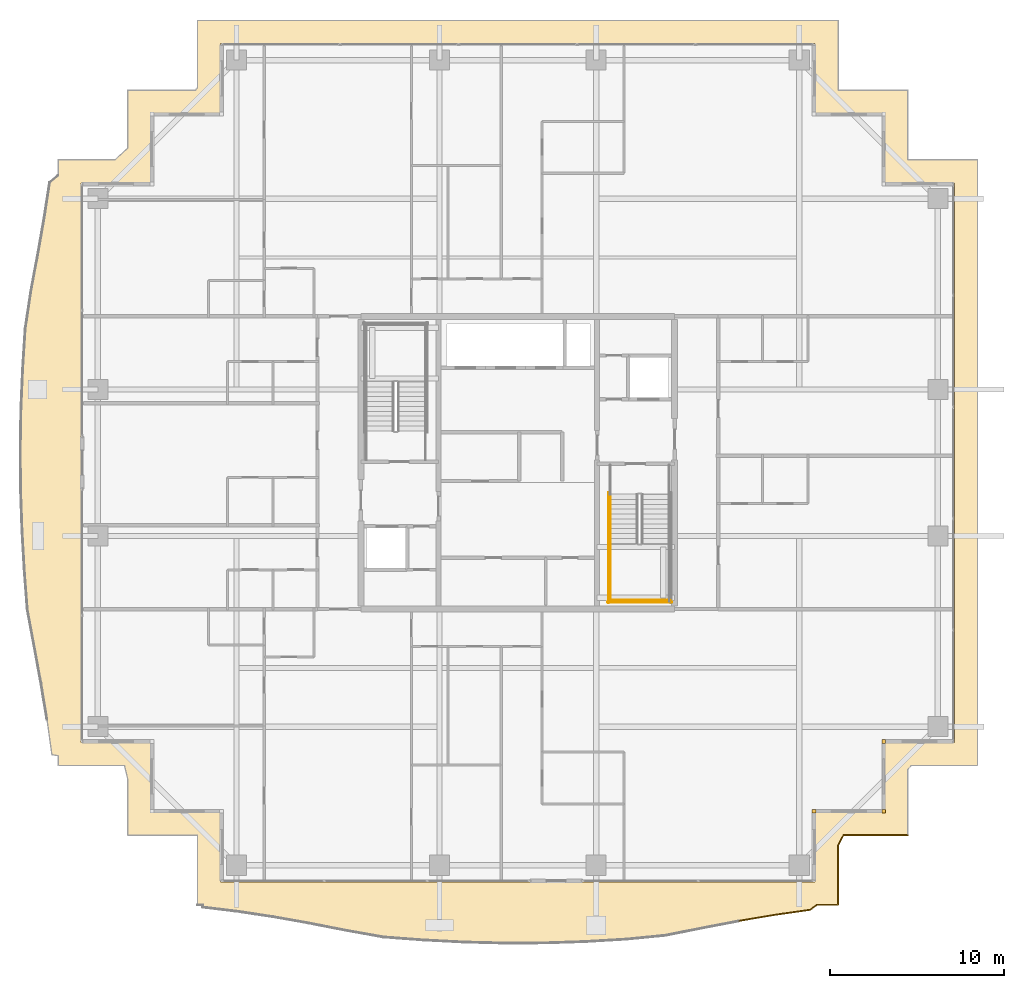
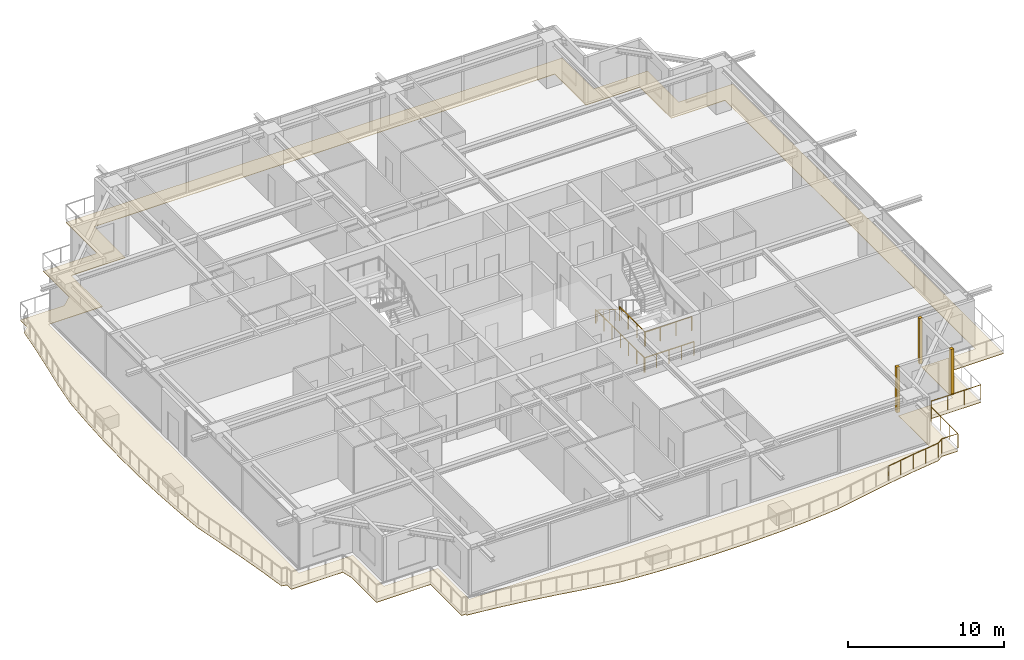
# One storey, part 34 of 36: 6 railings, 4 coverings.
"""IFC4 building model written with IfcOpenShell, lengths in metres."""

from ifc_helpers import new_model, si_unit, direction, frame, origin, origin_2d, place, context, subcontext, project, spatial, polyline, rectangle, circle, outline, extrude, source, transform, mapped, material, layer, layer_set, type_object, element, save


model = new_model("IFC4")

# Units and contexts
model_context = context("Model", 3, precision=1e-05, world=origin(), true_north=direction((0.0, 1.0)))
body_context = subcontext(model_context, "Body", "Model", "MODEL_VIEW")
ifc_project = project(units=[si_unit("LENGTHUNIT", "METRE"), si_unit("AREAUNIT", "SQUARE_METRE"), si_unit("VOLUMEUNIT", "CUBIC_METRE"), si_unit("PLANEANGLEUNIT", "RADIAN"), si_unit("MASSUNIT", "GRAM", prefix="KILO")], contexts=[model_context])

# Site, building, storey
site_placement = place(None, origin())
site = spatial("IfcSite", under=ifc_project, at=site_placement, CompositionType="ELEMENT")
building_placement = place(site_placement, origin())
building = spatial("IfcBuilding", under=site, at=building_placement, Name="Serunith Strait Residences", CompositionType="ELEMENT")
storey_placement = place(building_placement, frame((0.0, 0.0, 272.050048828125)))
storey = spatial("IfcBuildingStorey", under=building, at=storey_placement, Name="L68", CompositionType="ELEMENT", Elevation=272.050048828125)

# Covering
ifc_material_1 = material(Name="Golden Teak Exterior Timber Boarding", Category="wood")
ifc_layer_1 = layer(ifc_material_1, 0.034912109375, Name="Golden Teak Exterior Timber Boarding")
ifc_layer_set_1 = layer_set([ifc_layer_1], Name="Golden Teak Exterior Timber Boarding")
covering_type_1 = type_object("IfcCoveringType", Name="COV-TEAK-SOFFIT", PredefinedType="CEILING", material=ifc_layer_set_1)
covering_placement = place(storey_placement, frame((0.0, 0.0, -0.324951171875)))
element("IfcCovering", 1, at=covering_placement, inside=storey, type_object=covering_type_1, Name="L68 Golden-Teak Balcony Soffit Lining", PredefinedType="CEILING", context=body_context, shape_type="SweptSolid", body=[
    extrude(outline(polyline([(14.02001953125, -0.179931640625), (14.02001953125, 3.820068359375), (10.02001953125, 3.820068359375), (10.02001953125, 7.03466796875), (9.829345703125, 7.820068359375), (6.02001953125, 7.820068359375), (6.02001953125, 8.386962890625), (5.666015625, 8.44677734375), (5.382568359375, 10.4755859375), (5.044921875, 12.525390625), (4.6630859375, 14.61376953125), (4.261474609375, 16.75830078125), (4.088134765625, 19.0185546875), (3.958251953125, 21.31298828125), (3.878662109375, 23.63134765625), (3.857666015625, 25.961181640625), (3.897216796875, 28.287841796875), (3.994384765625, 30.59716796875), (4.139892578125, 32.877197265625), (4.46728515625, 35.069580078125), (4.863525390625, 37.178466796875), (5.225341796875, 39.240234375), (5.535888671875, 41.273681640625), (6.02001953125, 41.68115234375), (6.02001953125, 42.580078125), (9.283203125, 42.580078125), (10.02001953125, 43.2646484375), (10.02001953125, 46.580078125), (13.9189453125, 46.580078125), (14.02001953125, 46.734619140625), (14.02001953125, 50.580078125), (50.780029296875, 50.580078125), (50.780029296875, 46.580078125), (54.780029296875, 46.580078125), (54.780029296875, 42.580078125), (58.780029296875, 42.580078125), (58.780029296875, 7.820068359375), (54.97509765625, 7.820068359375), (54.780029296875, 7.597900390625), (54.780029296875, 3.820068359375), (51.10009765625, 3.820068359375), (50.780029296875, 3.239013671875), (50.780029296875, -0.179931640625), (49.57470703125, -0.179931640625), (49.15771484375, -0.471435546875), (47.135986328125, -0.7568359375), (45.09521484375, -1.103515625), (43.01611328125, -1.502685546875), (40.8779296875, -1.92919921875), (38.6201171875, -2.14990234375), (36.31298828125, -2.286865234375), (33.979248046875, -2.36474609375), (31.634033203125, -2.375244140625), (29.294921875, -2.317138671875), (26.977783203125, -2.19677734375), (24.6953125, -2.02685546875), (22.52099609375, -1.641357421875), (20.424072265625, -1.2294921875), (18.372314453125, -0.8642578125), (16.345703125, -0.55859375), (14.328125, -0.31298828125), (14.329345703125, -0.179931640625), (14.02001953125, -0.179931640625)]), holes=[polyline([(49.455078125, 1.14501953125), (49.455078125, 5.14501953125), (53.455078125, 5.14501953125), (53.455078125, 9.14501953125), (57.455078125, 9.14501953125), (57.455078125, 41.2548828125), (53.455078125, 41.2548828125), (53.455078125, 45.2548828125), (49.455078125, 45.2548828125), (49.455078125, 49.2548828125), (15.344970703125, 49.2548828125), (15.344970703125, 45.2548828125), (11.344970703125, 45.2548828125), (11.344970703125, 41.2548828125), (7.344970703125, 41.2548828125), (7.344970703125, 9.14501953125), (11.344970703125, 9.14501953125), (11.344970703125, 5.14501953125), (15.344970703125, 5.14501953125), (15.344970703125, 1.14501953125), (49.455078125, 1.14501953125)])]), origin(), (0.0, 0.0, 1.0), 0.034912109375),
])

# Railings
ifc_material_2 = material(Name="Stainless Steel & Laminated Glass Balustrade", Category="steel")
railing_type_1 = type_object("IfcRailingType", Name="RLG-BALC-1150", PredefinedType="BALUSTRADE", material=ifc_material_2)
railing_1_placement = place(storey_placement, frame((54.780029296875, 3.820068359375, -0.050048828125)))
element("IfcRailing", 2, at=railing_1_placement, inside=storey, type_object=railing_type_1, Name="L68 Swirling Balcony Perimeter Balustrade 6", PredefinedType="BALUSTRADE", context=body_context, shape_type="SweptSolid", body=[
    extrude(circle(Radius=0.02392578125, at=origin_2d()), frame((-0.001953125, 0.0, 1.1259765625), z_axis=(-1.0, 0.0, 0.0), x_axis=(0.0, -1.0, 0.0)), (0.0, 0.0, 1.0), 3.676025390625),
    extrude(circle(Radius=0.02392578125, at=origin_2d()), frame((-3.680908203125, -0.001708984375, 1.1259765625), z_axis=(-0.482483758606, -0.875904916462, 0.0), x_axis=(0.875904916462, -0.482483758606, 0.0)), (0.0, 0.0, 1.0), 0.659423828125),
    extrude(circle(Radius=0.02392578125, at=origin_2d()), frame((-4.0, -0.5830078125, 1.1259765625), z_axis=(0.0, -1.0, 0.0), x_axis=(1.0, 0.0, 0.0)), (0.0, 0.0, 1.0), 3.4150390625),
    extrude(circle(Radius=0.02392578125, at=origin_2d()), frame((-4.001953125, -4.0, 1.1259765625), z_axis=(-1.0, 0.0, 0.0), x_axis=(0.0, -1.0, 0.0)), (0.0, 0.0, 1.0), 1.201416015625),
    extrude(circle(Radius=0.02392578125, at=origin_2d()), frame((-5.20703125, -4.001220703125, 1.1259765625), z_axis=(-0.819592454895, -0.572946950319, 0.0), x_axis=(0.572946950319, -0.819592454895, 0.0)), (0.0, 0.0, 1.0), 0.5048828125),
    extrude(circle(Radius=0.02392578125, at=origin_2d()), frame((-5.624267578125, -4.291748046875, 1.1259765625), z_axis=(-0.990182497035, -0.139780622997, 0.0), x_axis=(0.139780622997, -0.990182497035, 0.0)), (0.0, 0.0, 1.0), 2.037841796875),
    extrude(circle(Radius=0.02392578125, at=origin_2d()), frame((-7.64599609375, -4.5771484375, 1.1259765625), z_axis=(-0.98587591115, -0.167477424792, 0.0), x_axis=(0.167477424792, -0.98587591115, 0.0)), (0.0, 0.0, 1.0), 2.06591796875),
    extrude(circle(Radius=0.02099609375, at=origin_2d()), origin(), (0.0, 0.0, 1.0), 1.099853515625),
    extrude(circle(Radius=0.02099609375, at=origin_2d()), frame((-1.2265625, 0.0, 0.0)), (0.0, 0.0, 1.0), 1.099853515625),
    extrude(circle(Radius=0.02099609375, at=origin_2d()), frame((-2.453369140625, 0.0, 0.0)), (0.0, 0.0, 1.0), 1.099853515625),
    extrude(circle(Radius=0.02099609375, at=origin_2d()), frame((-3.679931640625, 0.0, 0.0)), (0.0, 0.0, 1.0), 1.099853515625),
    extrude(circle(Radius=0.02099609375, at=origin_2d()), frame((-4.0, -0.5810546875, 0.0)), (0.0, 0.0, 1.0), 1.099853515625),
    extrude(circle(Radius=0.02099609375, at=origin_2d()), frame((-4.0, -1.720703125, 0.0)), (0.0, 0.0, 1.0), 1.099853515625),
    extrude(circle(Radius=0.02099609375, at=origin_2d()), frame((-4.0, -2.8603515625, 0.0)), (0.0, 0.0, 1.0), 1.099853515625),
    extrude(circle(Radius=0.02099609375, at=origin_2d()), frame((-4.0, -4.0, 0.0)), (0.0, 0.0, 1.0), 1.099853515625),
    extrude(circle(Radius=0.02099609375, at=origin_2d()), frame((-5.205322265625, -4.0, 0.0)), (0.0, 0.0, 1.0), 1.099853515625),
    extrude(circle(Radius=0.02099609375, at=origin_2d()), frame((-5.622314453125, -4.29150390625, 0.0)), (0.0, 0.0, 1.0), 1.099853515625),
    extrude(circle(Radius=0.02099609375, at=origin_2d()), frame((-6.63330078125, -4.43408203125, 0.0)), (0.0, 0.0, 1.0), 1.099853515625),
    extrude(circle(Radius=0.02099609375, at=origin_2d()), frame((-7.64404296875, -4.576904296875, 0.0)), (0.0, 0.0, 1.0), 1.099853515625),
    extrude(circle(Radius=0.02099609375, at=origin_2d()), frame((-8.66455078125, -4.750244140625, 0.0)), (0.0, 0.0, 1.0), 1.099853515625),
    extrude(circle(Radius=0.02099609375, at=origin_2d()), frame((-9.684814453125, -4.923583984375, 0.0)), (0.0, 0.0, 1.0), 1.099853515625),
])
ifc_material_3 = material(Name="Brushed stainless steel 316L", Category="steel")
railing_type_2 = type_object("IfcRailingType", Name="RLG-STAIR-GUARD", PredefinedType="BALUSTRADE", material=ifc_material_3)
railing_2_placement = place(storey_placement, frame((37.699951171875, 20.570068359375, 1.925048828125)))
element("IfcRailing", 3, at=railing_2_placement, inside=storey, type_object=railing_type_2, Name="L68 ST-2 stair guard 3", PredefinedType="BALUSTRADE", context=body_context, shape_type="SweptSolid", body=[
    extrude(circle(Radius=0.02392578125, at=origin_2d()), frame((0.0, -0.001953125, 1.076171875), z_axis=(0.0, -1.0, 0.0), x_axis=(1.0, 0.0, 0.0)), (0.0, 0.0, 1.0), 3.316162109375),
    extrude(circle(Radius=0.02099609375, at=origin_2d()), origin(), (0.0, 0.0, 1.0), 1.050048828125),
    extrude(circle(Radius=0.02099609375, at=origin_2d()), frame((0.0, -1.106689453125, 0.0)), (0.0, 0.0, 1.0), 1.050048828125),
    extrude(circle(Radius=0.02099609375, at=origin_2d()), frame((0.0, -2.21337890625, 0.0)), (0.0, 0.0, 1.0), 1.050048828125),
    extrude(circle(Radius=0.02099609375, at=origin_2d()), frame((0.0, -3.320068359375, 0.0)), (0.0, 0.0, 1.0), 1.050048828125),
])
railing_3_placement = place(storey_placement, frame((37.64990234375, 17.300048828125, 1.925048828125)))
element("IfcRailing", 4, at=railing_3_placement, inside=storey, type_object=railing_type_2, Name="L68 ST-2 stair guard 5", PredefinedType="BALUSTRADE", context=body_context, shape_type="SweptSolid", body=[
    extrude(circle(Radius=0.02392578125, at=origin_2d()), frame((0.001953125, 0.0, 1.076171875), z_axis=(1.0, 0.0, 0.0), x_axis=(0.0, 1.0, 0.0)), (0.0, 0.0, 1.0), 3.49609375),
    extrude(circle(Radius=0.02099609375, at=origin_2d()), origin(), (0.0, 0.0, 1.0), 1.050048828125),
    extrude(circle(Radius=0.02099609375, at=origin_2d()), frame((1.166748046875, 0.0, 0.0)), (0.0, 0.0, 1.0), 1.050048828125),
    extrude(circle(Radius=0.02099609375, at=origin_2d()), frame((2.333251953125, 0.0, 0.0)), (0.0, 0.0, 1.0), 1.050048828125),
    extrude(circle(Radius=0.02099609375, at=origin_2d()), frame((3.5, 0.0, 0.0)), (0.0, 0.0, 1.0), 1.050048828125),
])
railing_4_placement = place(storey_placement, frame((37.60009765625, 23.469970703125, 0.0)))
element("IfcRailing", 5, at=railing_4_placement, inside=storey, type_object=railing_type_2, Name="L68 ST-2 stair guard 10", PredefinedType="BALUSTRADE", context=body_context, shape_type="SweptSolid", body=[
    extrude(circle(Radius=0.02392578125, at=origin_2d()), frame((0.0, -0.001953125, 1.076171875), z_axis=(0.0, -1.0, 0.0), x_axis=(1.0, 0.0, 0.0)), (0.0, 0.0, 1.0), 6.316162109375),
    extrude(circle(Radius=0.02099609375, at=origin_2d()), origin(), (0.0, 0.0, 1.0), 1.050048828125),
    extrude(circle(Radius=0.02099609375, at=origin_2d()), frame((0.0, -1.05322265625, 0.0)), (0.0, 0.0, 1.0), 1.050048828125),
    extrude(circle(Radius=0.02099609375, at=origin_2d()), frame((0.0, -2.106689453125, 0.0)), (0.0, 0.0, 1.0), 1.050048828125),
    extrude(circle(Radius=0.02099609375, at=origin_2d()), frame((0.0, -3.16015625, 0.0)), (0.0, 0.0, 1.0), 1.050048828125),
    extrude(circle(Radius=0.02099609375, at=origin_2d()), frame((0.0, -4.21337890625, 0.0)), (0.0, 0.0, 1.0), 1.050048828125),
    extrude(circle(Radius=0.02099609375, at=origin_2d()), frame((0.0, -5.2666015625, 0.0)), (0.0, 0.0, 1.0), 1.050048828125),
    extrude(circle(Radius=0.02099609375, at=origin_2d()), frame((0.0, -6.320068359375, 0.0)), (0.0, 0.0, 1.0), 1.050048828125),
])
railing_5_placement = place(storey_placement, frame((37.550048828125, 17.199951171875, 0.0)))
element("IfcRailing", 6, at=railing_5_placement, inside=storey, type_object=railing_type_2, Name="L68 ST-2 stair guard 12", PredefinedType="BALUSTRADE", context=body_context, shape_type="SweptSolid", body=[
    extrude(circle(Radius=0.02392578125, at=origin_2d()), frame((0.001953125, 0.0, 1.076171875), z_axis=(1.0, 0.0, 0.0), x_axis=(0.0, 1.0, 0.0)), (0.0, 0.0, 1.0), 3.696044921875),
    extrude(circle(Radius=0.02099609375, at=origin_2d()), origin(), (0.0, 0.0, 1.0), 1.050048828125),
    extrude(circle(Radius=0.02099609375, at=origin_2d()), frame((0.925048828125, 0.0, 0.0)), (0.0, 0.0, 1.0), 1.050048828125),
    extrude(circle(Radius=0.02099609375, at=origin_2d()), frame((1.85009765625, 0.0, 0.0)), (0.0, 0.0, 1.0), 1.050048828125),
    extrude(circle(Radius=0.02099609375, at=origin_2d()), frame((2.77490234375, 0.0, 0.0)), (0.0, 0.0, 1.0), 1.050048828125),
    extrude(circle(Radius=0.02099609375, at=origin_2d()), frame((3.699951171875, 0.0, 0.0)), (0.0, 0.0, 1.0), 1.050048828125),
])
railing_type_3 = type_object("IfcRailingType", Name="RLG-STAIR-HR", PredefinedType="HANDRAIL", material=ifc_material_3)
railing_6_placement = place(storey_placement, frame((37.699951171875, 23.3701171875, 0.175048828125)))
element("IfcRailing", 7, at=railing_6_placement, inside=storey, type_object=railing_type_3, Name="L68 ST-2 stair handrail 1", PredefinedType="HANDRAIL", context=body_context, shape_type="SweptSolid", body=[
    extrude(circle(Radius=0.02392578125, at=origin_2d()), frame((0.0, -0.001708984375, 0.876953125), z_axis=(0.0, -0.847393994688, 0.530964610654), x_axis=(1.0, 0.0, 0.0)), (0.0, 0.0, 1.0), 3.630859375),
    extrude(circle(Radius=0.02099609375, at=origin_2d()), origin(), (0.0, 0.0, 1.0), 0.849853515625),
    extrude(circle(Radius=0.02099609375, at=origin_2d()), frame((0.0, -0.77001953125, 0.482421875)), (0.0, 0.0, 1.0), 0.849853515625),
    extrude(circle(Radius=0.02099609375, at=origin_2d()), frame((0.0, -1.5400390625, 0.96484375)), (0.0, 0.0, 1.0), 0.849853515625),
    extrude(circle(Radius=0.02099609375, at=origin_2d()), frame((0.0, -2.31005859375, 1.447509765625)), (0.0, 0.0, 1.0), 0.849853515625),
    extrude(circle(Radius=0.02099609375, at=origin_2d()), frame((0.0, -3.080078125, 1.929931640625)), (0.0, 0.0, 1.0), 0.849853515625),
])

# Coverings
ifc_material_4 = material(Name="Pale-Champagne Anodised Aluminium", Category="aluminium")
ifc_layer_2 = layer(ifc_material_4, 0.219970703125, Name="Pale-Champagne Anodised Aluminium")
ifc_layer_set_2 = layer_set([ifc_layer_2], Name="Pale-Champagne Anodised Aluminium")
covering_type_2 = type_object("IfcCoveringType", Name="COV-CORN-TRIM", PredefinedType="CLADDING", material=ifc_layer_set_2)
shared_shape = source(origin(), body_context, "Body", "SweptSolid", [
    extrude(rectangle(XDim=0.221923828125, YDim=0.221923828125, at=origin_2d()), origin(), (0.0, 0.0, 1.0), 3.574951171875),
])
for number, where, z_axis, x_axis, name in (
    (8, (49.39990234375, 5.199951171875, 0.0), (0.0, 0.0, 1.0), (1.0, 0.0, 0.0), "L68 Girih Serrated Corner Trim Post 02"),
    (9, (53.39990234375, 5.199951171875, 0.0), (0.0, 0.0, 1.0), (1.0, 0.0, 0.0), "L68 Girih Serrated Corner Trim Post 03"),
    (10, (53.39990234375, 9.199951171875, 0.0), (0.0, 0.0, 1.0), (1.0, 0.0, 0.0), "L68 Girih Serrated Corner Trim Post 04"),
):
    element("IfcCovering", number, at=place(storey_placement, frame(where, z_axis=z_axis, x_axis=x_axis)), inside=storey, type_object=covering_type_2, Name=name, PredefinedType="CLADDING", context=body_context, shape_type="MappedRepresentation", body=[
        mapped(shared_shape, transform((0.0, 0.0, 0.0), scale=1.0)),
    ])

save(model, "model.ifc")
